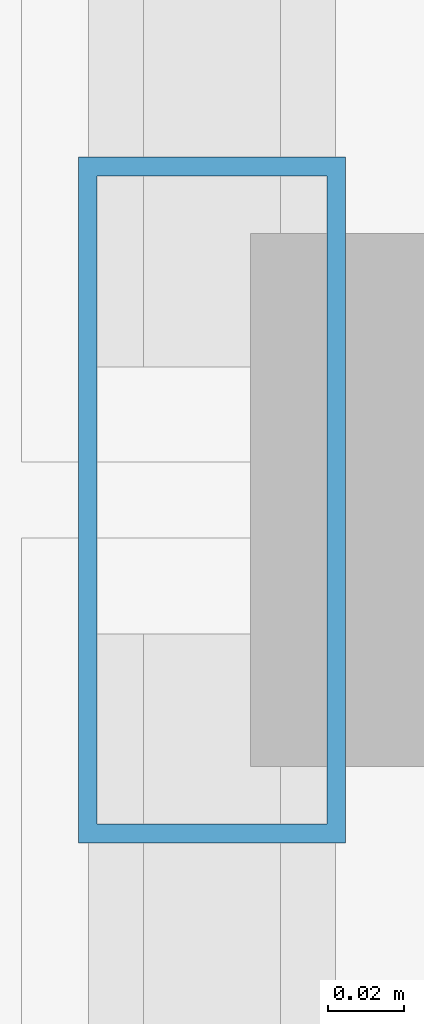
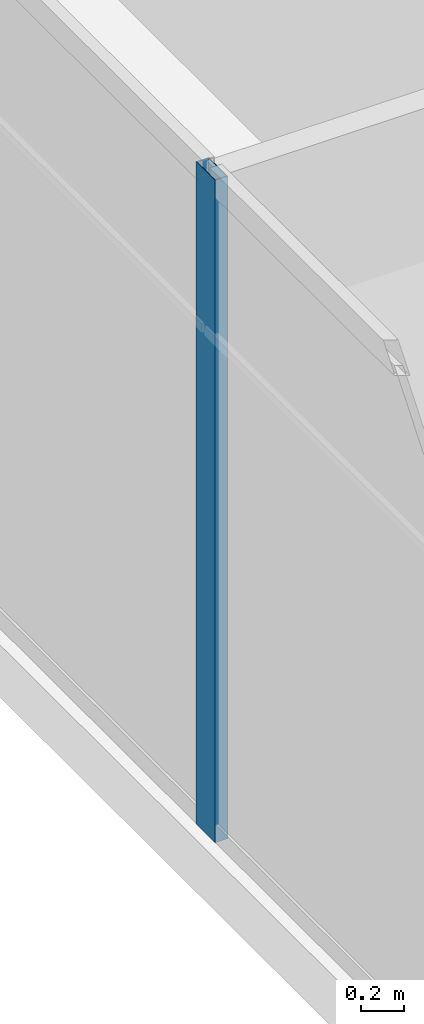
# One storey, part 9 of 36: 1 member, 1 element without a shape of its own.
"""IFC4 building model written with IfcOpenShell, lengths in metres."""

from ifc_helpers import new_model, si_unit, direction, frame, origin, origin_2d, place, context, subcontext, project, spatial, hollow_rectangle, extrude, source, transform, mapped, material, layer, layer_set, material_profile, profile_set, type_object, type_shapes, element, aggregate, save


model = new_model("IFC4")

# Units and contexts
model_context = context("Model", 3, precision=1e-05, world=origin(), true_north=direction((0.0, 1.0)))
body_context = subcontext(model_context, "Body", "Model", "MODEL_VIEW")
ifc_project = project(units=[si_unit("LENGTHUNIT", "METRE"), si_unit("AREAUNIT", "SQUARE_METRE"), si_unit("VOLUMEUNIT", "CUBIC_METRE"), si_unit("PLANEANGLEUNIT", "RADIAN"), si_unit("MASSUNIT", "GRAM", prefix="KILO")], contexts=[model_context])

# Site, building, storey
site_placement = place(None, origin())
site = spatial("IfcSite", under=ifc_project, at=site_placement, CompositionType="ELEMENT")
building_placement = place(site_placement, origin())
building = spatial("IfcBuilding", under=site, at=building_placement, Name="Haelvirn Gate Laboratories", CompositionType="ELEMENT")
storey_placement = place(building_placement, frame((0.0, 0.0, 262.89990234375)))
storey = spatial("IfcBuildingStorey", under=building, at=storey_placement, Name="L63", CompositionType="ELEMENT", Elevation=262.89990234375)

# Curtain wall, member
ifc_material_1 = material(Name="Anodised bronze unitised aluminium & triple low-E glass", Category="aluminium")
ifc_layer = layer(ifc_material_1, 0.176025390625, Name="CW-SYS-4")
ifc_layer_set = layer_set([ifc_layer], Name="Anodised bronze unitised aluminium & triple low-E glass")
curtain_wall_type = type_object("IfcCurtainWallType", Name="CW-SYS-4", PredefinedType="NOTDEFINED", material=ifc_layer_set)
curtain_wall_placement = place(storey_placement, origin())
curtain_wall = element("IfcCurtainWall", 1, at=curtain_wall_placement, inside=storey, type_object=curtain_wall_type, Name="L63 Unitised Curtain Wall CW-L63-P0-E17", PredefinedType="NOTDEFINED")
ifc_material_2 = material(Name="Extruded aluminium 6063-T6 (anodised bronze)", Category="aluminium")
ifc_material_profile = material_profile(ifc_material_2, hollow_rectangle(XDim=0.070068359375, YDim=0.179931640625, WallThickness=0.0048828125, at=origin_2d()), Name="CWM-180x70x5")
ifc_profile_set = profile_set([ifc_material_profile], Name="Extruded aluminium 6063-T6 (anodised bronze)")
member_type = type_object("IfcMemberType", Name="CWM-T180", PredefinedType="MULLION", material=ifc_profile_set)
shared_shape = source(origin(), body_context, "Body", "SweptSolid", [
    extrude(hollow_rectangle(XDim=0.070068359375, YDim=0.179931640625, WallThickness=0.0048828125, at=origin_2d()), origin(), (0.0, 0.0, 1.0), 3.800048828125),
])
type_shapes(member_type, [shared_shape])
member_placement = place(storey_placement, frame((4.10009765625, 24.300048828125, 0.0), z_axis=(0.0, 0.0, 1.0), x_axis=(1.0, 0.0, 0.0)))
member = element("IfcMember", 2, at=member_placement, type_object=member_type, Name="CW4 mullion 2", PredefinedType="MULLION", context=body_context, shape_type="MappedRepresentation", body=[
    mapped(shared_shape, transform((0.0, 0.0, 0.0), scale=1.0)),
])
aggregate(curtain_wall, [member])

save(model, "model.ifc")
